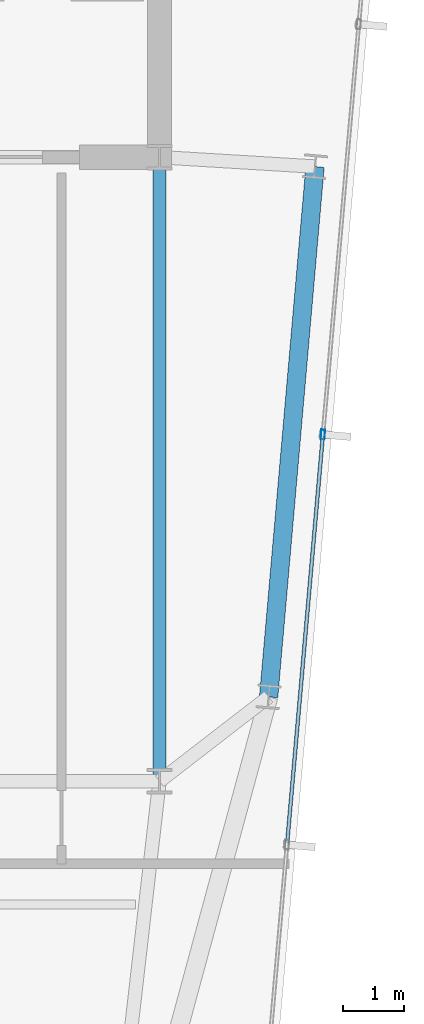
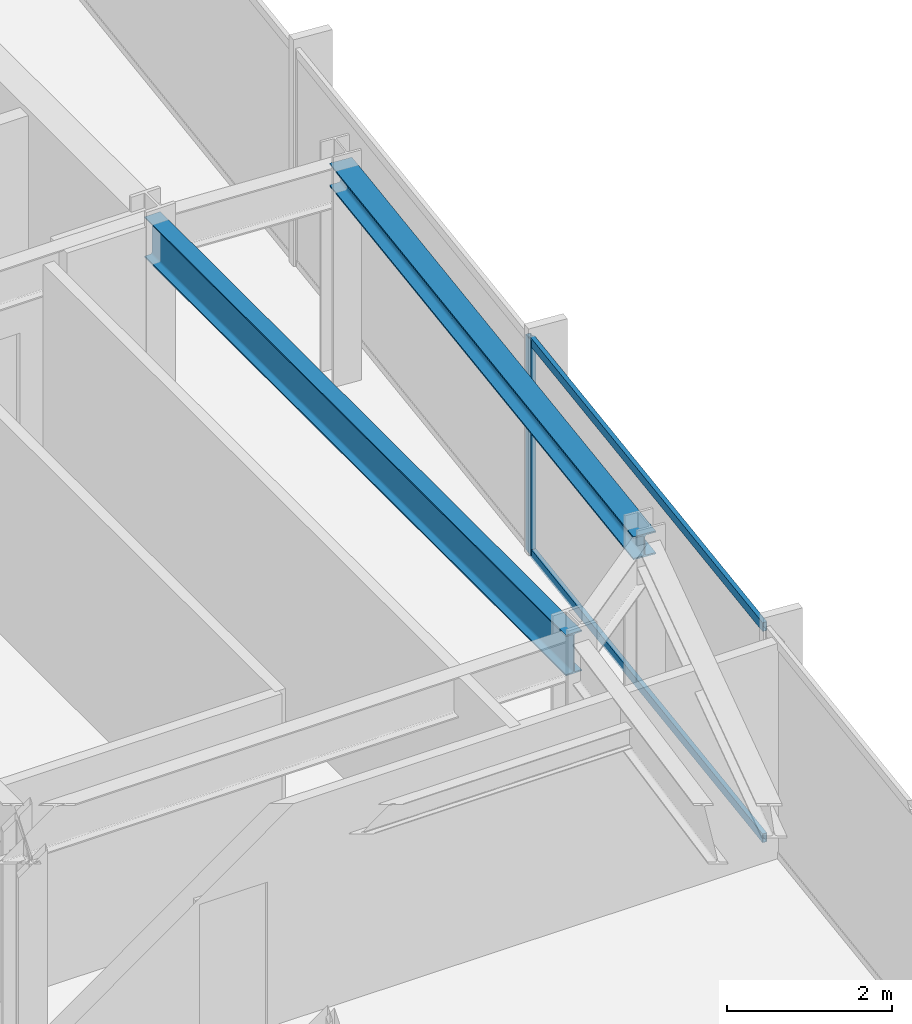
# One storey, part 17 of 33: 3 members, 2 beams, 1 element without a shape of its own.
"""IFC4 building model written with IfcOpenShell, lengths in metres."""

from ifc_helpers import new_model, si_unit, direction, frame, origin, origin_2d, place, context, subcontext, project, spatial, hollow_rectangle, i_section, extrude, material, material_profile, profile_set, type_object, element, aggregate, save


model = new_model("IFC4")

# Units and contexts
model_context = context("Model", 3, precision=1e-05, world=origin(), true_north=direction((0.0, 1.0)))
body_context = subcontext(model_context, "Body", "Model", "MODEL_VIEW")
ifc_project = project(units=[si_unit("LENGTHUNIT", "METRE"), si_unit("AREAUNIT", "SQUARE_METRE"), si_unit("VOLUMEUNIT", "CUBIC_METRE"), si_unit("PLANEANGLEUNIT", "RADIAN"), si_unit("MASSUNIT", "GRAM", prefix="KILO")], contexts=[model_context])

# Site, building, storey
site_placement = place(None, origin())
site = spatial("IfcSite", under=ifc_project, at=site_placement, CompositionType="ELEMENT")
building_placement = place(site_placement, origin())
building = spatial("IfcBuilding", under=site, at=building_placement, Name="Yelkora Congress Tower", CompositionType="ELEMENT")
storey_placement = place(building_placement, frame((0.0, 0.0, 289.699951171875)))
storey = spatial("IfcBuildingStorey", under=building, at=storey_placement, Name="L81", CompositionType="ELEMENT", Elevation=289.699951171875)

# Beams
ifc_material_1 = material(Name="Steel S355J2", Category="steel")
ifc_material_profile_1 = material_profile(ifc_material_1, i_section(OverallWidth=0.219970703125, OverallDepth=0.60009765625, WebThickness=0.011962890625, FlangeThickness=0.01904296875, FilletRadius=0.02392578125, at=origin_2d()), Name="IPE 600")
ifc_profile_set_1 = profile_set([ifc_material_profile_1], Name="Steel S355J2")
beam_type_1 = type_object("IfcBeamType", Name="BM-GIRD-IPE600", PredefinedType="BEAM", material=ifc_profile_set_1)
beam_1_placement = place(storey_placement, frame((53.760009765625, 25.199951171875, 2.880126953125), z_axis=(0.0, 1.0, 0.0), x_axis=(-1.0, 0.0, 0.0)))
element("IfcBeam", 1, at=beam_1_placement, inside=storey, type_object=beam_type_1, Name="L81 Core Tie Girder MC-D5", PredefinedType="BEAM", context=body_context, shape_type="SweptSolid", body=[
    extrude(i_section(OverallWidth=0.219970703125, OverallDepth=0.60009765625, WebThickness=0.011962890625, FlangeThickness=0.01904296875, FilletRadius=0.02392578125, at=origin_2d()), origin(), (0.0, 0.0, 1.0), 10.199951171875),
])
ifc_material_profile_2 = material_profile(ifc_material_1, i_section(OverallWidth=0.300048828125, OverallDepth=0.340087890625, WebThickness=0.011962890625, FlangeThickness=0.021484375, FilletRadius=0.027099609375, at=origin_2d()), Name="HEB 340")
ifc_profile_set_2 = profile_set([ifc_material_profile_2], Name="Steel S355J2")
beam_type_2 = type_object("IfcBeamType", Name="BM-SPAN-HEB340", PredefinedType="SPANDREL", material=ifc_profile_set_2)
beam_2_placement = place(storey_placement, frame((55.543701171875, 26.57861328125, 3.010009765625), z_axis=(0.08715998813, 0.99619432666, 0.0), x_axis=(-0.99619432666, 0.08715998813, 0.0)))
element("IfcBeam", 2, at=beam_2_placement, inside=storey, type_object=beam_type_2, Name="L81 Perimeter Beam 8", PredefinedType="SPANDREL", context=body_context, shape_type="SweptSolid", body=[
    extrude(i_section(OverallWidth=0.300048828125, OverallDepth=0.340087890625, WebThickness=0.011962890625, FlangeThickness=0.021484375, FilletRadius=0.027099609375, at=origin_2d()), origin(), (0.0, 0.0, 1.0), 8.7001953125),
])

# Curtain wall, members
ifc_material_2 = material(Name="Anodised aluminium and insulated glass", Category="aluminium")
curtain_wall_type = type_object("IfcCurtainWallType", Name="CW-SYS-B5", PredefinedType="NOTDEFINED", material=ifc_material_2)
curtain_wall_placement = place(storey_placement, origin())
curtain_wall = element("IfcCurtainWall", 3, at=curtain_wall_placement, inside=storey, type_object=curtain_wall_type, Name="L81 Unitised Curtain Wall 15", PredefinedType="NOTDEFINED")
ifc_material_3 = material(Name="Anodised aluminium 6063-T6", Category="aluminium")
ifc_material_profile_3 = material_profile(ifc_material_3, hollow_rectangle(XDim=0.06494140625, YDim=0.159912109375, WallThickness=0.00390625, at=origin_2d()), Name="ALU 65x160x4")
ifc_profile_set_3 = profile_set([ifc_material_profile_3], Name="Anodised aluminium 6063-T6")
member_type_1 = type_object("IfcMemberType", Name="MEM-ML-B5", PredefinedType="MULLION", material=ifc_profile_set_3)
member_1_placement = place(storey_placement, frame((56.430908203125, 30.867431640625, 0.0), z_axis=(0.0, 0.0, 1.0), x_axis=(0.996194463398, -0.087158425264, 0.0)))
member_1 = element("IfcMember", 4, at=member_1_placement, type_object=member_type_1, Name="CW-B5 mullion 3", PredefinedType="MULLION", context=body_context, shape_type="SweptSolid", body=[
    extrude(hollow_rectangle(XDim=0.06494140625, YDim=0.159912109375, WallThickness=0.00390625, at=origin_2d()), origin(), (0.0, 0.0, 1.0), 3.179931640625),
])
ifc_material_profile_4 = material_profile(ifc_material_3, hollow_rectangle(XDim=0.06005859375, YDim=0.1298828125, WallThickness=0.00390625, at=origin_2d()), Name="ALU 60x130x4")
ifc_profile_set_4 = profile_set([ifc_material_profile_4], Name="Anodised aluminium 6063-T6")
member_type_2 = type_object("IfcMemberType", Name="MEM-TR-B5", PredefinedType="USERDEFINED", material=ifc_profile_set_4)
member_2_placement = place(storey_placement, frame((56.42822265625, 30.835205078125, 0.030029296875), z_axis=(-0.087179673403, -0.996192604141, 0.0), x_axis=(0.996192604141, -0.087179673403, 0.0)))
member_2 = element("IfcMember", 5, at=member_2_placement, type_object=member_type_2, Name="CW-B5 transom 3.1", ObjectType="TRANSOM", PredefinedType="USERDEFINED", context=body_context, shape_type="SweptSolid", body=[
    extrude(hollow_rectangle(XDim=0.06005859375, YDim=0.1298828125, WallThickness=0.00390625, at=origin_2d()), origin(), (0.0, 0.0, 1.0), 6.6650390625),
])
member_3_placement = place(storey_placement, frame((56.42822265625, 30.835205078125, 3.150146484375), z_axis=(-0.087179673403, -0.996192604141, 0.0), x_axis=(0.996192604141, -0.087179673403, 0.0)))
member_3 = element("IfcMember", 6, at=member_3_placement, type_object=member_type_2, Name="CW-B5 transom 3.2", ObjectType="TRANSOM", PredefinedType="USERDEFINED", context=body_context, shape_type="SweptSolid", body=[
    extrude(hollow_rectangle(XDim=0.06005859375, YDim=0.1298828125, WallThickness=0.00390625, at=origin_2d()), origin(), (0.0, 0.0, 1.0), 6.6650390625),
])
aggregate(curtain_wall, [member_1, member_2, member_3])

save(model, "model.ifc")
